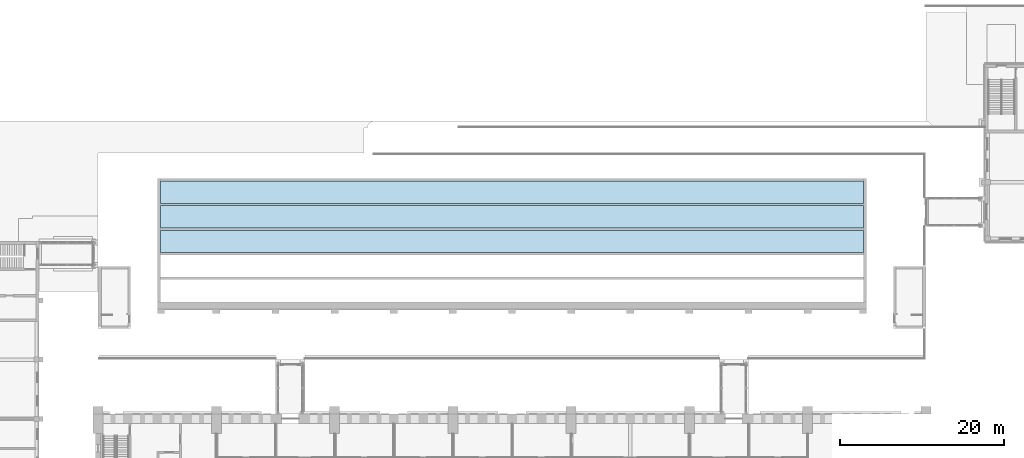
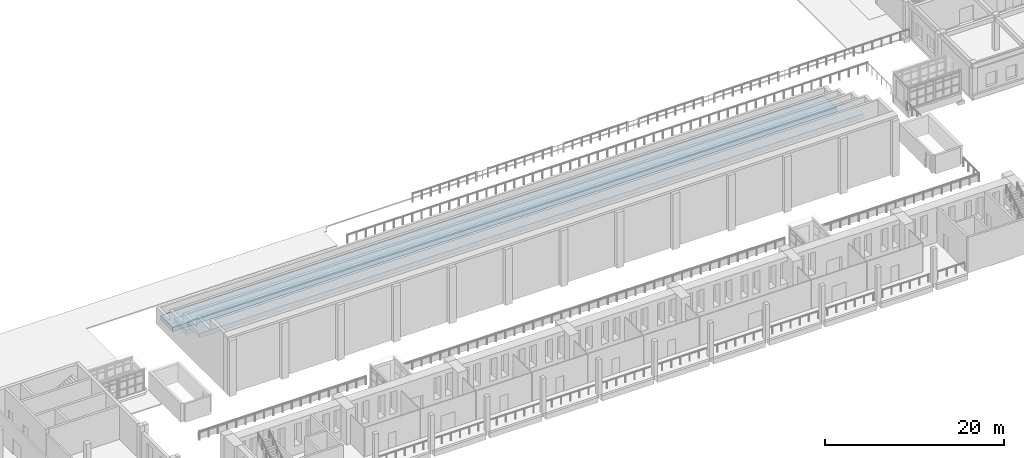
# One storey, part 73 of 131: 3 slabs.
"""IFC4 building model written with IfcOpenShell, lengths in metres."""

import ifcopenshell
import ifcopenshell.guid

model = None  # the IFC model being written
_history = None  # IfcOwnerHistory: only IFC2X3 demands one
_inside = {}  # id of a spatial element -> (the spatial element, [elements in it])
_under = {}  # id of a project, library or spatial element -> (it, [spatial elements below it])
_declared = {}  # id of a project -> (the project, [libraries it declares])
_typed = {}  # id of a type object -> (the type object, [elements of that type])
_made_of = {}  # id of a material, layer set ... -> (it, [elements and type objects made of it])


def new_model(schema):
    """Start an empty IFC model of exactly this schema.

    Asked for "IFC4X3", IfcOpenShell would pick the latest addendum, in which some entities
    have other attributes; the version numbers below select the first issue.
    IFC2X3 requires an IfcOwnerHistory on every rooted entity: one is made here for all.
    """
    global model, _history
    if schema == "IFC4X3":
        model = ifcopenshell.file(schema_version=(4, 3, 0, 0))
    else:
        model = ifcopenshell.file(schema=schema)
    _inside.clear()
    _under.clear()
    _declared.clear()
    _typed.clear()
    _made_of.clear()
    _history = None
    if model.schema == "IFC2X3":
        org = make("IfcOrganization", Name="unknown")
        user = make(
            "IfcPersonAndOrganization",
            ThePerson=make("IfcPerson", FamilyName="unknown"),
            TheOrganization=org,
        )
        app = make(
            "IfcApplication",
            ApplicationDeveloper=org,
            Version="unknown",
            ApplicationFullName="unknown",
            ApplicationIdentifier="unknown",
        )
        _history = make(
            "IfcOwnerHistory",
            OwningUser=user,
            OwningApplication=app,
            ChangeAction="ADDED",
            CreationDate=0,
        )
    return model


def make(cls, **values):
    """One entity of the class cls with the attributes given. An attribute that is None is left unset."""
    return model.create_entity(
        cls, **{name: value for name, value in values.items() if value is not None}
    )


def rooted(cls, **values):
    """An entity with a GlobalId (a new one), such as an element, a storey or a relation."""
    return make(cls, GlobalId=ifcopenshell.guid.new(), OwnerHistory=_history, **values)


def si_unit(unit_type, name, prefix=None):
    """IfcSIUnit, for example si_unit("LENGTHUNIT", "METRE", prefix="MILLI")."""
    return make("IfcSIUnit", UnitType=unit_type, Prefix=prefix, Name=name)


def assignment(units):
    """IfcUnitAssignment: the units of a project."""
    return None if units is None else make("IfcUnitAssignment", Units=units)


def point(xyz):
    """IfcCartesianPoint."""
    return None if xyz is None else make("IfcCartesianPoint", Coordinates=xyz)


def direction(xyz):
    """IfcDirection."""
    return None if xyz is None else make("IfcDirection", DirectionRatios=xyz)


def frame(location, z_axis=None, x_axis=None):
    """IfcAxis2Placement3D, a coordinate frame: its origin and axes. An axis left out is left unset."""
    return make(
        "IfcAxis2Placement3D",
        Location=point(location),
        Axis=direction(z_axis),
        RefDirection=direction(x_axis),
    )


def origin():
    """The frame at (0, 0, 0) with its axes left unset."""
    return frame((0.0, 0.0, 0.0))


def place(relative_to, where):
    """IfcLocalPlacement: puts the frame where relative to a parent placement (None: the world)."""
    return make(
        "IfcLocalPlacement", PlacementRelTo=relative_to, RelativePlacement=where
    )


def context(
    kind, dimensions, precision=None, world=None, true_north=None, identifier=None
):
    """IfcGeometricRepresentationContext, for example the 3D "Model" context."""
    return make(
        "IfcGeometricRepresentationContext",
        ContextIdentifier=identifier,
        ContextType=kind,
        CoordinateSpaceDimension=dimensions,
        Precision=precision,
        WorldCoordinateSystem=world,
        TrueNorth=true_north,
    )


def subcontext(parent, identifier, kind, view, scale=None):
    """IfcGeometricRepresentationSubContext, for example "Body" below "Model"."""
    return make(
        "IfcGeometricRepresentationSubContext",
        ContextIdentifier=identifier,
        ContextType=kind,
        ParentContext=parent,
        TargetScale=scale,
        TargetView=view,
    )


def project(units=None, contexts=None):
    """IfcProject with its units and contexts."""
    return rooted(
        "IfcProject",
        Name="project",
        RepresentationContexts=contexts,
        UnitsInContext=assignment(units),
    )


def spatial(cls, under=None, at=None, **own):
    """A site, building, storey or space (cls), placed at a placement, below another one or the project."""
    s = rooted(cls, ObjectPlacement=at, **own)
    if under is not None:
        _under.setdefault(under.id(), (under, []))[1].append(s)
    return s


def polyline(points):
    """IfcPolyline through the points."""
    return make("IfcPolyline", Points=[point(p) for p in points])


def outline(outer, holes=None, kind="AREA"):
    """IfcArbitraryClosedProfileDef: a profile drawn as a closed curve; with holes, ...WithVoids."""
    if holes is None:
        return make("IfcArbitraryClosedProfileDef", ProfileType=kind, OuterCurve=outer)
    return make(
        "IfcArbitraryProfileDefWithVoids",
        ProfileType=kind,
        OuterCurve=outer,
        InnerCurves=holes,
    )


def extrude(swept, where, along, depth):
    """IfcExtrudedAreaSolid: the profile swept, set in the frame where, extruded along a direction by depth."""
    return make(
        "IfcExtrudedAreaSolid",
        SweptArea=swept,
        Position=where,
        ExtrudedDirection=direction(along),
        Depth=depth,
    )


def shape(context_of_items, identifier, shape_type, items):
    """IfcShapeRepresentation: the items that make up one representation, for example the "Body"."""
    return make(
        "IfcShapeRepresentation",
        ContextOfItems=context_of_items,
        RepresentationIdentifier=identifier,
        RepresentationType=shape_type,
        Items=items,
    )


def material(Name=None, Category=None):
    """IfcMaterial."""
    return make("IfcMaterial", Name=Name, Category=Category)


def layer(
    of_material, thickness, ventilated=None, Name=None, Category=None, Priority=None
):
    """IfcMaterialLayer: one layer of a wall or slab, of a material (None: an air gap)."""
    return make(
        "IfcMaterialLayer",
        Material=of_material,
        LayerThickness=thickness,
        IsVentilated=ventilated,
        Name=Name,
        Category=Category,
        Priority=Priority,
    )


def layer_set(layers, Name=None):
    """IfcMaterialLayerSet."""
    return make("IfcMaterialLayerSet", MaterialLayers=layers, LayerSetName=Name)


def made_of(thing, what):
    """Note that an element or type object is made of a material, layer set ...; save() writes the relation."""
    if what is not None:
        _made_of.setdefault(what.id(), (what, []))[1].append(thing)
    return thing


def type_object(cls, material=None, **own):
    """A type object (cls), such as IfcWallType, which elements share."""
    return made_of(rooted(cls, **own), material)


def element(
    cls,
    number,
    at=None,
    inside=None,
    cuts=None,
    type_object=None,
    material=None,
    context=None,
    identifier="Body",
    shape_type=None,
    held_by="IfcProductDefinitionShape",
    body=None,
    shapes=None,
    **own,
):
    """One element of the class cls, such as IfcWall. Its Tag is "e" and its number.

    at: its placement. inside: the storey or other place that contains it. cuts: it is an
    opening in that element (IfcRelVoidsElement). A single representation is given by context,
    identifier, shape_type and body (its items); several are given by shapes. held_by: the class
    of the entity that holds the representations. save() writes the other relations.
    """
    e = rooted(cls, Tag="e%d" % number, ObjectPlacement=at, **own)
    if body is not None:
        shapes = [shape(context, identifier, shape_type, body)]
    if shapes is not None:
        e.Representation = make(held_by, Representations=shapes)
    if inside is not None:
        _inside.setdefault(inside.id(), (inside, []))[1].append(e)
    if cuts is not None:
        rooted(
            "IfcRelVoidsElement", RelatingBuildingElement=cuts, RelatedOpeningElement=e
        )
    if type_object is not None:
        _typed.setdefault(type_object.id(), (type_object, []))[1].append(e)
    return made_of(e, material)


def aggregate(whole, parts):
    """IfcRelAggregates: a whole, such as a stair, and the parts it consists of."""
    return rooted("IfcRelAggregates", RelatingObject=whole, RelatedObjects=parts)


def save(model, path):
    """Write the relations noted so far, then the file.

    IfcRelAggregates (storeys below a building ...), IfcRelContainedInSpatialStructure (elements
    in a storey), IfcRelDefinesByType, IfcRelAssociatesMaterial and IfcRelDeclares: one each for
    every whole, place, type object, material and project.
    """
    for whole, parts in _under.values():
        aggregate(whole, parts)
    for where, things in _inside.values():
        rooted(
            "IfcRelContainedInSpatialStructure",
            RelatedElements=things,
            RelatingStructure=where,
        )
    for kind, things in _typed.values():
        rooted("IfcRelDefinesByType", RelatedObjects=things, RelatingType=kind)
    for what, things in _made_of.values():
        rooted("IfcRelAssociatesMaterial", RelatedObjects=things, RelatingMaterial=what)
    for by, libraries in _declared.values():
        rooted("IfcRelDeclares", RelatingContext=by, RelatedDefinitions=libraries)
    model.write(path)


model = new_model("IFC4")

# Units and contexts
model_context = context("Model", 3, precision=1e-05, world=origin(), true_north=direction((0.0, 1.0)))
body_context = subcontext(model_context, "Body", "Model", "MODEL_VIEW")
ifc_project = project(units=[si_unit("LENGTHUNIT", "METRE"), si_unit("AREAUNIT", "SQUARE_METRE"), si_unit("VOLUMEUNIT", "CUBIC_METRE"), si_unit("PLANEANGLEUNIT", "RADIAN"), si_unit("MASSUNIT", "GRAM", prefix="KILO")], contexts=[model_context])

# Site, building, storey
site_placement = place(None, origin())
site = spatial("IfcSite", under=ifc_project, at=site_placement, CompositionType="ELEMENT")
building_placement = place(site_placement, origin())
building = spatial("IfcBuilding", under=site, at=building_placement, Name="Alderwick Market Hall", CompositionType="ELEMENT")
storey_placement = place(building_placement, frame((0.0, 0.0, 4.800048828125)))
storey = spatial("IfcBuildingStorey", under=building, at=storey_placement, Name="L00", CompositionType="ELEMENT", Elevation=4.800048828125)

# Slabs
ifc_material = material(Name="Planted soil build-up, Concrete 4000 psi (f'c 28 MPa) drainage layer", Category="concrete")
ifc_layer = layer(ifc_material, 0.60009765625)
ifc_layer_set = layer_set([ifc_layer], Name="Planted soil build-up, Concrete 4000 psi (f'c 28 MPa) drainage layer")
slab_type = type_object("IfcSlabType", Name="A Planted Terrace Tread 600", PredefinedType="ROOF", material=ifc_layer_set)
slab_1_placement = place(storey_placement, frame((0.0, 0.0, 3.39990234375)))
element("IfcSlab", 1, at=slab_1_placement, inside=storey, type_object=slab_type, Name="Planted terrace tread 3", PredefinedType="ROOF", context=body_context, shape_type="SweptSolid", body=[
    extrude(outline(polyline([(58.0, 128.25), (143.60009765625, 128.25), (143.60009765625, 130.949951171875), (58.0, 130.949951171875), (58.0, 128.25)])), origin(), (0.0, 0.0, 1.0), 0.60009765625),
])
slab_2_placement = place(storey_placement, frame((0.0, 0.0, 2.0)))
element("IfcSlab", 2, at=slab_2_placement, inside=storey, type_object=slab_type, Name="Planted terrace tread 4", PredefinedType="ROOF", context=body_context, shape_type="SweptSolid", body=[
    extrude(outline(polyline([(58.0, 131.25), (143.60009765625, 131.25), (143.60009765625, 133.949951171875), (58.0, 133.949951171875), (58.0, 131.25)])), origin(), (0.0, 0.0, 1.0), 0.599853515625),
])
slab_3_placement = place(storey_placement, frame((0.0, 0.0, 0.599853515625)))
element("IfcSlab", 3, at=slab_3_placement, inside=storey, type_object=slab_type, Name="Planted terrace tread 5", PredefinedType="ROOF", context=body_context, shape_type="SweptSolid", body=[
    extrude(outline(polyline([(58.0, 134.25), (143.60009765625, 134.25), (143.60009765625, 136.949951171875), (58.0, 136.949951171875), (58.0, 134.25)])), origin(), (0.0, 0.0, 1.0), 0.60009765625),
])

save(model, "model.ifc")
